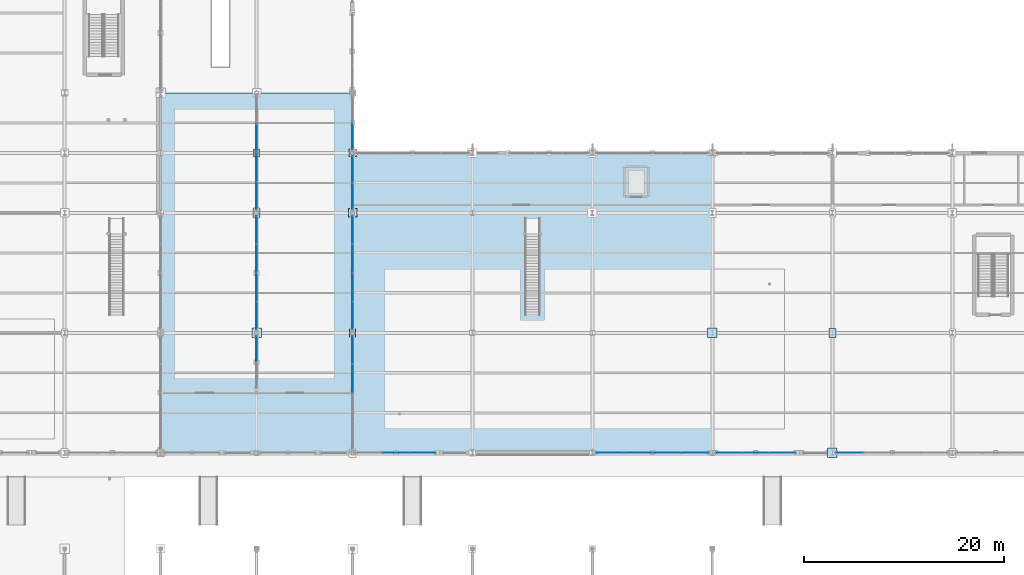
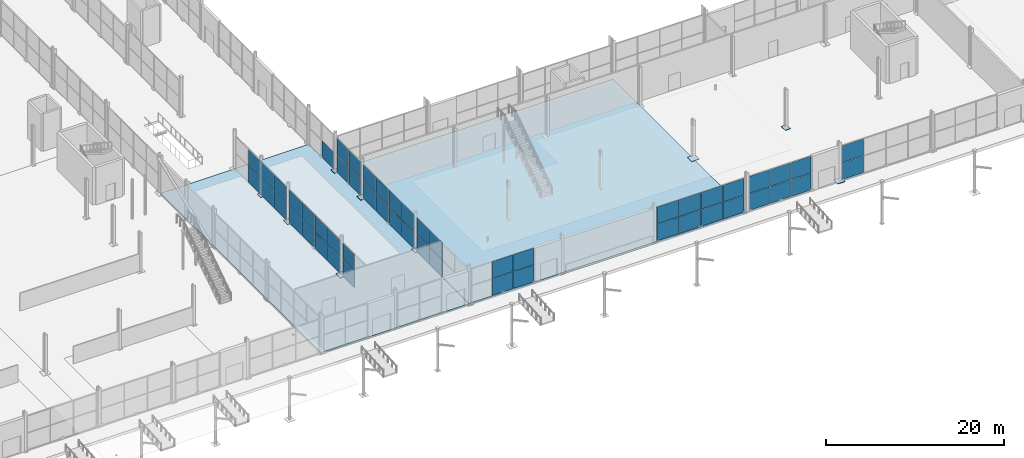
# One storey, part 147 of 196: 62 plates, 2 slabs, 11 elements without a shape of their own.
"""IFC4 building model written with IfcOpenShell, lengths in metres."""

from ifc_helpers import new_model, si_unit, direction, frame, origin, origin_2d, place, context, subcontext, project, spatial, polyline, rectangle, outline, extrude, material, layer, layer_set, type_object, element, aggregate, save


model = new_model("IFC4")

# Units and contexts
model_context = context("Model", 3, precision=1e-05, world=origin(), true_north=direction((0.0, 1.0)))
body_context = subcontext(model_context, "Body", "Model", "MODEL_VIEW")
ifc_project = project(units=[si_unit("LENGTHUNIT", "METRE"), si_unit("AREAUNIT", "SQUARE_METRE"), si_unit("VOLUMEUNIT", "CUBIC_METRE"), si_unit("PLANEANGLEUNIT", "RADIAN"), si_unit("MASSUNIT", "GRAM", prefix="KILO")], contexts=[model_context])

# Site, building, storey
site_placement = place(None, origin())
site = spatial("IfcSite", under=ifc_project, at=site_placement, CompositionType="ELEMENT")
building_placement = place(site_placement, origin())
building = spatial("IfcBuilding", under=site, at=building_placement, Name="Merenkruunu Market Hall", CompositionType="ELEMENT")
storey_placement = place(building_placement, origin())
storey = spatial("IfcBuildingStorey", under=building, at=storey_placement, Name="L00", CompositionType="ELEMENT", Elevation=0.0)

# Plates
ifc_material_1 = material(Name="Steel S355ML", Category="steel")
ifc_layer_1 = layer(ifc_material_1, 0.044921875)
ifc_layer_set_1 = layer_set([ifc_layer_1], Name="Steel S355ML")
plate_type_1 = type_object("IfcPlateType", Name="Column Base Plate BP01", PredefinedType="USERDEFINED", material=ifc_layer_set_1)
plate_1_placement = place(storey_placement, frame((76.800048828125, 39.60009765625, 0.0), z_axis=(0.0, 0.0, 1.0), x_axis=(1.0, 0.0, 0.0)))
element("IfcPlate", 1, at=plate_1_placement, inside=storey, type_object=plate_type_1, Name="PLT-BP-J-05", ObjectType="BASE_PLATE", PredefinedType="USERDEFINED", context=body_context, shape_type="SweptSolid", body=[
    extrude(rectangle(XDim=0.85009765625, YDim=0.85009765625, at=origin_2d()), origin(), (0.0, 0.0, 1.0), 0.044921875),
])
ifc_layer_2 = layer(ifc_material_1, 0.0400390625)
ifc_layer_set_2 = layer_set([ifc_layer_2], Name="Steel S355ML")
plate_type_2 = type_object("IfcPlateType", Name="Column Base Plate BP02", PredefinedType="USERDEFINED", material=ifc_layer_set_2)
plate_2_placement = place(storey_placement, frame((76.800048828125, 45.60009765625, 0.0), z_axis=(0.0, 0.0, 1.0), x_axis=(1.0, 0.0, 0.0)))
element("IfcPlate", 2, at=plate_2_placement, inside=storey, type_object=plate_type_2, Name="PLT-BP-J-06", ObjectType="BASE_PLATE", PredefinedType="USERDEFINED", context=body_context, shape_type="SweptSolid", body=[
    extrude(rectangle(XDim=0.75, YDim=0.75, at=origin_2d()), origin(), (0.0, 0.0, 1.0), 0.0400390625),
])
ifc_layer_3 = layer(ifc_material_1, 0.050048828125)
ifc_layer_set_3 = layer_set([ifc_layer_3], Name="Steel S355ML")
plate_type_3 = type_object("IfcPlateType", Name="Column Base Plate BP06", PredefinedType="USERDEFINED", material=ifc_layer_set_3)
for number, where, z_axis, x_axis, name in (
    (3, (67.199951171875, 27.60009765625, 0.0), (0.0, 0.0, 1.0), (1.0, 0.0, 0.0), "PLT-BP-H-04"),
    (4, (112.800048828125, 27.60009765625, 0.0), (0.0, 0.0, 1.0), (1.0, 0.0, 0.0), "PLT-BP-M-04"),
    (5, (124.800048828125, 15.60009765625, 0.0), (0.0, 0.0, 1.0), (1.0, 0.0, 0.0), "PLT-BP-N-03"),
):
    element("IfcPlate", number, at=place(storey_placement, frame(where, z_axis=z_axis, x_axis=x_axis)), inside=storey, type_object=plate_type_3, Name=name, ObjectType="BASE_PLATE", PredefinedType="USERDEFINED", context=body_context, shape_type="SweptSolid", body=[
        extrude(rectangle(XDim=0.949951171875, YDim=0.949951171875, at=origin_2d()), origin(), (0.0, 0.0, 1.0), 0.050048828125),
    ])
ifc_layer_4 = layer(ifc_material_1, 0.0419921875)
ifc_layer_set_4 = layer_set([ifc_layer_4], Name="Steel S355ML")
plate_type_4 = type_object("IfcPlateType", Name="Column Base Plate BP07", PredefinedType="USERDEFINED", material=ifc_layer_set_4)
for number, where, z_axis, x_axis, name in (
    (6, (67.199951171875, 39.60009765625, 0.0), (0.0, 0.0, 1.0), (1.0, 0.0, 0.0), "PLT-BP-H-05"),
    (7, (124.800048828125, 27.60009765625, 0.0), (0.0, 0.0, 1.0), (1.0, 0.0, 0.0), "PLT-BP-N-04"),
):
    element("IfcPlate", number, at=place(storey_placement, frame(where, z_axis=z_axis, x_axis=x_axis)), inside=storey, type_object=plate_type_4, Name=name, ObjectType="BASE_PLATE", PredefinedType="USERDEFINED", context=body_context, shape_type="SweptSolid", body=[
        extrude(rectangle(XDim=0.699951171875, YDim=0.89990234375, at=origin_2d()), origin(), (0.0, 0.0, 1.0), 0.0419921875),
    ])
ifc_layer_5 = layer(ifc_material_1, 0.0380859375)
ifc_layer_set_5 = layer_set([ifc_layer_5], Name="Steel S355ML")
plate_type_5 = type_object("IfcPlateType", Name="Column Base Plate BP08", PredefinedType="USERDEFINED", material=ifc_layer_set_5)
for number, where, z_axis, x_axis, name in (
    (8, (67.199951171875, 45.60009765625, 0.0), (0.0, 0.0, 1.0), (1.0, 0.0, 0.0), "PLT-BP-H-06"),
    (9, (76.800048828125, 27.60009765625, 0.0), (0.0, 0.0, 1.0), (1.0, 0.0, 0.0), "PLT-BP-J-04"),
):
    element("IfcPlate", number, at=place(storey_placement, frame(where, z_axis=z_axis, x_axis=x_axis)), inside=storey, type_object=plate_type_5, Name=name, ObjectType="BASE_PLATE", PredefinedType="USERDEFINED", context=body_context, shape_type="SweptSolid", body=[
        extrude(rectangle(XDim=0.60009765625, YDim=0.800048828125, at=origin_2d()), origin(), (0.0, 0.0, 1.0), 0.0380859375),
    ])

# Curtain wall, plates
ifc_material_2 = material(Name="Powder-coated aluminium", Category="aluminium")
curtain_wall_type_1 = type_object("IfcCurtainWallType", Name="Glazed Curtain Wall CW06", PredefinedType="USERDEFINED", material=ifc_material_2)
curtain_wall_1_placement = place(storey_placement, origin())
curtain_wall_1 = element("IfcCurtainWall", 10, at=curtain_wall_1_placement, inside=storey, type_object=curtain_wall_type_1, Name="CW-L00-CWM01-180", ObjectType="GLAZED_FACADE", PredefinedType="USERDEFINED")
ifc_material_3 = material(Name="Triple low-E insulated glass", Category="glass")
ifc_layer_6 = layer(ifc_material_3, 0.0380859375)
ifc_layer_set_6 = layer_set([ifc_layer_6], Name="Triple low-E insulated glass")
plate_type_6 = type_object("IfcPlateType", Name="Curtain Wall Glazing Panel CWP03", PredefinedType="CURTAIN_PANEL", material=ifc_layer_set_6)
plate_3_placement = place(storey_placement, frame((83.831787109375, 15.60009765625, 0.06005859375), z_axis=(0.0, 0.0, 1.0), x_axis=(-1.0, 0.0, 0.0)))
plate_3 = element("IfcPlate", 11, at=plate_3_placement, type_object=plate_type_6, Name="CW06 panel 1.1", PredefinedType="CURTAIN_PANEL", context=body_context, shape_type="SweptSolid", body=[
    extrude(rectangle(XDim=2.61669921875, YDim=0.0380859375, at=origin_2d()), origin(), (0.0, 0.0, 1.0), 2.284912109375),
])
plate_4_placement = place(storey_placement, frame((83.831787109375, 15.60009765625, 2.4052734375), z_axis=(0.0, 0.0, 1.0), x_axis=(-1.0, 0.0, 0.0)))
plate_4 = element("IfcPlate", 12, at=plate_4_placement, type_object=plate_type_6, Name="CW06 panel 1.2", PredefinedType="CURTAIN_PANEL", context=body_context, shape_type="SweptSolid", body=[
    extrude(rectangle(XDim=2.61669921875, YDim=0.0380859375, at=origin_2d()), origin(), (0.0, 0.0, 1.0), 2.284912109375),
])
plate_5_placement = place(storey_placement, frame((81.139892578125, 15.60009765625, 0.06005859375), z_axis=(0.0, 0.0, 1.0), x_axis=(-1.0, 0.0, 0.0)))
plate_5 = element("IfcPlate", 13, at=plate_5_placement, type_object=plate_type_6, Name="CW06 panel 2.1", PredefinedType="CURTAIN_PANEL", context=body_context, shape_type="SweptSolid", body=[
    extrude(rectangle(XDim=2.646728515625, YDim=0.0380859375, at=origin_2d()), origin(), (0.0, 0.0, 1.0), 2.284912109375),
])
plate_6_placement = place(storey_placement, frame((81.139892578125, 15.60009765625, 2.4052734375), z_axis=(0.0, 0.0, 1.0), x_axis=(-1.0, 0.0, 0.0)))
plate_6 = element("IfcPlate", 14, at=plate_6_placement, type_object=plate_type_6, Name="CW06 panel 2.2", PredefinedType="CURTAIN_PANEL", context=body_context, shape_type="SweptSolid", body=[
    extrude(rectangle(XDim=2.646728515625, YDim=0.0380859375, at=origin_2d()), origin(), (0.0, 0.0, 1.0), 2.284912109375),
])
aggregate(curtain_wall_1, [plate_3, plate_4, plate_5, plate_6])

curtain_wall_type_2 = type_object("IfcCurtainWallType", Name="Glazed Curtain Wall CW04", PredefinedType="USERDEFINED", material=ifc_material_2)
curtain_wall_2_placement = place(storey_placement, origin())
curtain_wall_2 = element("IfcCurtainWall", 15, at=curtain_wall_2_placement, inside=storey, type_object=curtain_wall_type_2, Name="CW-L00-CWM02-186", ObjectType="GLAZED_FACADE", PredefinedType="USERDEFINED")
plate_7_placement = place(storey_placement, frame((111.074951171875, 15.60009765625, 0.06005859375), z_axis=(0.0, 0.0, 1.0), x_axis=(-1.0, 0.0, 0.0)))
plate_7 = element("IfcPlate", 16, at=plate_7_placement, type_object=plate_type_6, Name="CW04 panel 1.1", PredefinedType="CURTAIN_PANEL", context=body_context, shape_type="SweptSolid", body=[
    extrude(rectangle(XDim=2.77001953125, YDim=0.0380859375, at=origin_2d()), origin(), (0.0, 0.0, 1.0), 2.284912109375),
])
plate_8_placement = place(storey_placement, frame((111.074951171875, 15.60009765625, 2.4052734375), z_axis=(0.0, 0.0, 1.0), x_axis=(-1.0, 0.0, 0.0)))
plate_8 = element("IfcPlate", 17, at=plate_8_placement, type_object=plate_type_6, Name="CW04 panel 1.2", PredefinedType="CURTAIN_PANEL", context=body_context, shape_type="SweptSolid", body=[
    extrude(rectangle(XDim=2.77001953125, YDim=0.0380859375, at=origin_2d()), origin(), (0.0, 0.0, 1.0), 2.284912109375),
])
plate_9_placement = place(storey_placement, frame((108.22998046875, 15.60009765625, 0.06005859375), z_axis=(0.0, 0.0, 1.0), x_axis=(-1.0, 0.0, 0.0)))
plate_9 = element("IfcPlate", 18, at=plate_9_placement, type_object=plate_type_6, Name="CW04 panel 2.1", PredefinedType="CURTAIN_PANEL", context=body_context, shape_type="SweptSolid", body=[
    extrude(rectangle(XDim=2.800048828125, YDim=0.0380859375, at=origin_2d()), origin(), (0.0, 0.0, 1.0), 2.284912109375),
])
plate_10_placement = place(storey_placement, frame((108.22998046875, 15.60009765625, 2.4052734375), z_axis=(0.0, 0.0, 1.0), x_axis=(-1.0, 0.0, 0.0)))
plate_10 = element("IfcPlate", 19, at=plate_10_placement, type_object=plate_type_6, Name="CW04 panel 2.2", PredefinedType="CURTAIN_PANEL", context=body_context, shape_type="SweptSolid", body=[
    extrude(rectangle(XDim=2.800048828125, YDim=0.0380859375, at=origin_2d()), origin(), (0.0, 0.0, 1.0), 2.284912109375),
])
plate_11_placement = place(storey_placement, frame((105.3701171875, 15.60009765625, 0.06005859375), z_axis=(0.0, 0.0, 1.0), x_axis=(-1.0, 0.0, 0.0)))
plate_11 = element("IfcPlate", 20, at=plate_11_placement, type_object=plate_type_6, Name="CW04 panel 3.1", PredefinedType="CURTAIN_PANEL", context=body_context, shape_type="SweptSolid", body=[
    extrude(rectangle(XDim=2.800048828125, YDim=0.0380859375, at=origin_2d()), origin(), (0.0, 0.0, 1.0), 2.284912109375),
])
plate_12_placement = place(storey_placement, frame((105.3701171875, 15.60009765625, 2.4052734375), z_axis=(0.0, 0.0, 1.0), x_axis=(-1.0, 0.0, 0.0)))
plate_12 = element("IfcPlate", 21, at=plate_12_placement, type_object=plate_type_6, Name="CW04 panel 3.2", PredefinedType="CURTAIN_PANEL", context=body_context, shape_type="SweptSolid", body=[
    extrude(rectangle(XDim=2.800048828125, YDim=0.0380859375, at=origin_2d()), origin(), (0.0, 0.0, 1.0), 2.284912109375),
])
plate_13_placement = place(storey_placement, frame((102.52490234375, 15.60009765625, 0.06005859375), z_axis=(0.0, 0.0, 1.0), x_axis=(-1.0, 0.0, 0.0)))
plate_13 = element("IfcPlate", 22, at=plate_13_placement, type_object=plate_type_6, Name="CW04 panel 4.1", PredefinedType="CURTAIN_PANEL", context=body_context, shape_type="SweptSolid", body=[
    extrude(rectangle(XDim=2.77001953125, YDim=0.0380859375, at=origin_2d()), origin(), (0.0, 0.0, 1.0), 2.284912109375),
])
plate_14_placement = place(storey_placement, frame((102.52490234375, 15.60009765625, 2.4052734375), z_axis=(0.0, 0.0, 1.0), x_axis=(-1.0, 0.0, 0.0)))
plate_14 = element("IfcPlate", 23, at=plate_14_placement, type_object=plate_type_6, Name="CW04 panel 4.2", PredefinedType="CURTAIN_PANEL", context=body_context, shape_type="SweptSolid", body=[
    extrude(rectangle(XDim=2.77001953125, YDim=0.0380859375, at=origin_2d()), origin(), (0.0, 0.0, 1.0), 2.284912109375),
])
aggregate(curtain_wall_2, [plate_7, plate_8, plate_9, plate_10, plate_11, plate_12, plate_13, plate_14])

curtain_wall_3_placement = place(storey_placement, origin())
curtain_wall_3 = element("IfcCurtainWall", 24, at=curtain_wall_3_placement, inside=storey, type_object=curtain_wall_type_1, Name="CW-L00-CWM01-190", ObjectType="GLAZED_FACADE", PredefinedType="USERDEFINED")
plate_15_placement = place(storey_placement, frame((119.831787109375, 15.60009765625, 0.06005859375), z_axis=(0.0, 0.0, 1.0), x_axis=(-1.0, 0.0, 0.0)))
plate_15 = element("IfcPlate", 25, at=plate_15_placement, type_object=plate_type_6, Name="CW06 panel 1.1", PredefinedType="CURTAIN_PANEL", context=body_context, shape_type="SweptSolid", body=[
    extrude(rectangle(XDim=2.61669921875, YDim=0.0380859375, at=origin_2d()), origin(), (0.0, 0.0, 1.0), 2.284912109375),
])
plate_16_placement = place(storey_placement, frame((119.831787109375, 15.60009765625, 2.4052734375), z_axis=(0.0, 0.0, 1.0), x_axis=(-1.0, 0.0, 0.0)))
plate_16 = element("IfcPlate", 26, at=plate_16_placement, type_object=plate_type_6, Name="CW06 panel 1.2", PredefinedType="CURTAIN_PANEL", context=body_context, shape_type="SweptSolid", body=[
    extrude(rectangle(XDim=2.61669921875, YDim=0.0380859375, at=origin_2d()), origin(), (0.0, 0.0, 1.0), 2.284912109375),
])
plate_17_placement = place(storey_placement, frame((117.139892578125, 15.60009765625, 0.06005859375), z_axis=(0.0, 0.0, 1.0), x_axis=(-1.0, 0.0, 0.0)))
plate_17 = element("IfcPlate", 27, at=plate_17_placement, type_object=plate_type_6, Name="CW06 panel 2.1", PredefinedType="CURTAIN_PANEL", context=body_context, shape_type="SweptSolid", body=[
    extrude(rectangle(XDim=2.646728515625, YDim=0.0380859375, at=origin_2d()), origin(), (0.0, 0.0, 1.0), 2.284912109375),
])
plate_18_placement = place(storey_placement, frame((117.139892578125, 15.60009765625, 2.4052734375), z_axis=(0.0, 0.0, 1.0), x_axis=(-1.0, 0.0, 0.0)))
plate_18 = element("IfcPlate", 28, at=plate_18_placement, type_object=plate_type_6, Name="CW06 panel 2.2", PredefinedType="CURTAIN_PANEL", context=body_context, shape_type="SweptSolid", body=[
    extrude(rectangle(XDim=2.646728515625, YDim=0.0380859375, at=origin_2d()), origin(), (0.0, 0.0, 1.0), 2.284912109375),
])
plate_19_placement = place(storey_placement, frame((114.4482421875, 15.60009765625, 0.06005859375), z_axis=(0.0, 0.0, 1.0), x_axis=(-1.0, 0.0, 0.0)))
plate_19 = element("IfcPlate", 29, at=plate_19_placement, type_object=plate_type_6, Name="CW06 panel 3.1", PredefinedType="CURTAIN_PANEL", context=body_context, shape_type="SweptSolid", body=[
    extrude(rectangle(XDim=2.61669921875, YDim=0.0380859375, at=origin_2d()), origin(), (0.0, 0.0, 1.0), 2.284912109375),
])
plate_20_placement = place(storey_placement, frame((114.4482421875, 15.60009765625, 2.4052734375), z_axis=(0.0, 0.0, 1.0), x_axis=(-1.0, 0.0, 0.0)))
plate_20 = element("IfcPlate", 30, at=plate_20_placement, type_object=plate_type_6, Name="CW06 panel 3.2", PredefinedType="CURTAIN_PANEL", context=body_context, shape_type="SweptSolid", body=[
    extrude(rectangle(XDim=2.61669921875, YDim=0.0380859375, at=origin_2d()), origin(), (0.0, 0.0, 1.0), 2.284912109375),
])
aggregate(curtain_wall_3, [plate_15, plate_16, plate_17, plate_18, plate_19, plate_20])

curtain_wall_4_placement = place(storey_placement, origin())
curtain_wall_4 = element("IfcCurtainWall", 31, at=curtain_wall_4_placement, inside=storey, type_object=curtain_wall_type_2, Name="CW-L00-CWM02-194", ObjectType="GLAZED_FACADE", PredefinedType="USERDEFINED")
plate_21_placement = place(storey_placement, frame((126.52490234375, 15.60009765625, 0.06005859375), z_axis=(0.0, 0.0, 1.0), x_axis=(-1.0, 0.0, 0.0)))
plate_21 = element("IfcPlate", 32, at=plate_21_placement, type_object=plate_type_6, Name="CW04 panel 4.1", PredefinedType="CURTAIN_PANEL", context=body_context, shape_type="SweptSolid", body=[
    extrude(rectangle(XDim=2.77001953125, YDim=0.0380859375, at=origin_2d()), origin(), (0.0, 0.0, 1.0), 2.284912109375),
])
plate_22_placement = place(storey_placement, frame((126.52490234375, 15.60009765625, 2.4052734375), z_axis=(0.0, 0.0, 1.0), x_axis=(-1.0, 0.0, 0.0)))
plate_22 = element("IfcPlate", 33, at=plate_22_placement, type_object=plate_type_6, Name="CW04 panel 4.2", PredefinedType="CURTAIN_PANEL", context=body_context, shape_type="SweptSolid", body=[
    extrude(rectangle(XDim=2.77001953125, YDim=0.0380859375, at=origin_2d()), origin(), (0.0, 0.0, 1.0), 2.284912109375),
])
aggregate(curtain_wall_4, [plate_21, plate_22])

curtain_wall_type_3 = type_object("IfcCurtainWallType", Name="Glazed Curtain Wall CW05", PredefinedType="USERDEFINED", material=ifc_material_2)
curtain_wall_5_placement = place(storey_placement, origin())
curtain_wall_5 = element("IfcCurtainWall", 34, at=curtain_wall_5_placement, inside=storey, type_object=curtain_wall_type_3, Name="CW-L00-CWM01-151", ObjectType="GLAZED_FACADE", PredefinedType="USERDEFINED")
ifc_layer_7 = layer(ifc_material_3, 0.0380859375)
ifc_layer_set_7 = layer_set([ifc_layer_7], Name="Triple low-E insulated glass")
plate_type_7 = type_object("IfcPlateType", Name="Curtain Wall Glazing Panel CWP04", PredefinedType="CURTAIN_PANEL", material=ifc_layer_set_7)
plate_23_placement = place(storey_placement, frame((76.800048828125, 23.030029296875, 0.06005859375), z_axis=(0.0, 0.0, 1.0), x_axis=(0.0, 1.0, 0.0)))
plate_23 = element("IfcPlate", 35, at=plate_23_placement, type_object=plate_type_7, Name="CW05 panel 3.1", PredefinedType="CURTAIN_PANEL", context=body_context, shape_type="SweptSolid", body=[
    extrude(rectangle(XDim=2.800048828125, YDim=0.0380859375, at=origin_2d()), origin(), (0.0, 0.0, 1.0), 2.284912109375),
])
plate_24_placement = place(storey_placement, frame((76.800048828125, 23.030029296875, 2.4052734375), z_axis=(0.0, 0.0, 1.0), x_axis=(0.0, 1.0, 0.0)))
plate_24 = element("IfcPlate", 36, at=plate_24_placement, type_object=plate_type_7, Name="CW05 panel 3.2", PredefinedType="CURTAIN_PANEL", context=body_context, shape_type="SweptSolid", body=[
    extrude(rectangle(XDim=2.800048828125, YDim=0.0380859375, at=origin_2d()), origin(), (0.0, 0.0, 1.0), 2.284912109375),
])
plate_25_placement = place(storey_placement, frame((76.800048828125, 25.875, 0.06005859375), z_axis=(0.0, 0.0, 1.0), x_axis=(0.0, 1.0, 0.0)))
plate_25 = element("IfcPlate", 37, at=plate_25_placement, type_object=plate_type_7, Name="CW05 panel 4.1", PredefinedType="CURTAIN_PANEL", context=body_context, shape_type="SweptSolid", body=[
    extrude(rectangle(XDim=2.77001953125, YDim=0.0380859375, at=origin_2d()), origin(), (0.0, 0.0, 1.0), 2.284912109375),
])
plate_26_placement = place(storey_placement, frame((76.800048828125, 25.875, 2.4052734375), z_axis=(0.0, 0.0, 1.0), x_axis=(0.0, 1.0, 0.0)))
plate_26 = element("IfcPlate", 38, at=plate_26_placement, type_object=plate_type_7, Name="CW05 panel 4.2", PredefinedType="CURTAIN_PANEL", context=body_context, shape_type="SweptSolid", body=[
    extrude(rectangle(XDim=2.77001953125, YDim=0.0380859375, at=origin_2d()), origin(), (0.0, 0.0, 1.0), 2.284912109375),
])
aggregate(curtain_wall_5, [plate_23, plate_24, plate_25, plate_26])

curtain_wall_6_placement = place(storey_placement, origin())
curtain_wall_6 = element("IfcCurtainWall", 39, at=curtain_wall_6_placement, inside=storey, type_object=curtain_wall_type_3, Name="CW-L00-CWM01-152", ObjectType="GLAZED_FACADE", PredefinedType="USERDEFINED")
plate_27_placement = place(storey_placement, frame((76.800048828125, 29.324951171875, 0.06005859375), z_axis=(0.0, 0.0, 1.0), x_axis=(0.0, 1.0, 0.0)))
plate_27 = element("IfcPlate", 40, at=plate_27_placement, type_object=plate_type_7, Name="CW05 panel 1.1", PredefinedType="CURTAIN_PANEL", context=body_context, shape_type="SweptSolid", body=[
    extrude(rectangle(XDim=2.77001953125, YDim=0.0380859375, at=origin_2d()), origin(), (0.0, 0.0, 1.0), 2.284912109375),
])
plate_28_placement = place(storey_placement, frame((76.800048828125, 29.324951171875, 2.4052734375), z_axis=(0.0, 0.0, 1.0), x_axis=(0.0, 1.0, 0.0)))
plate_28 = element("IfcPlate", 41, at=plate_28_placement, type_object=plate_type_7, Name="CW05 panel 1.2", PredefinedType="CURTAIN_PANEL", context=body_context, shape_type="SweptSolid", body=[
    extrude(rectangle(XDim=2.77001953125, YDim=0.0380859375, at=origin_2d()), origin(), (0.0, 0.0, 1.0), 2.284912109375),
])
plate_29_placement = place(storey_placement, frame((76.800048828125, 32.169921875, 0.06005859375), z_axis=(0.0, 0.0, 1.0), x_axis=(0.0, 1.0, 0.0)))
plate_29 = element("IfcPlate", 42, at=plate_29_placement, type_object=plate_type_7, Name="CW05 panel 2.1", PredefinedType="CURTAIN_PANEL", context=body_context, shape_type="SweptSolid", body=[
    extrude(rectangle(XDim=2.800048828125, YDim=0.0380859375, at=origin_2d()), origin(), (0.0, 0.0, 1.0), 2.284912109375),
])
plate_30_placement = place(storey_placement, frame((76.800048828125, 32.169921875, 2.4052734375), z_axis=(0.0, 0.0, 1.0), x_axis=(0.0, 1.0, 0.0)))
plate_30 = element("IfcPlate", 43, at=plate_30_placement, type_object=plate_type_7, Name="CW05 panel 2.2", PredefinedType="CURTAIN_PANEL", context=body_context, shape_type="SweptSolid", body=[
    extrude(rectangle(XDim=2.800048828125, YDim=0.0380859375, at=origin_2d()), origin(), (0.0, 0.0, 1.0), 2.284912109375),
])
plate_31_placement = place(storey_placement, frame((76.800048828125, 35.030029296875, 0.06005859375), z_axis=(0.0, 0.0, 1.0), x_axis=(0.0, 1.0, 0.0)))
plate_31 = element("IfcPlate", 44, at=plate_31_placement, type_object=plate_type_7, Name="CW05 panel 3.1", PredefinedType="CURTAIN_PANEL", context=body_context, shape_type="SweptSolid", body=[
    extrude(rectangle(XDim=2.800048828125, YDim=0.0380859375, at=origin_2d()), origin(), (0.0, 0.0, 1.0), 2.284912109375),
])
plate_32_placement = place(storey_placement, frame((76.800048828125, 35.030029296875, 2.4052734375), z_axis=(0.0, 0.0, 1.0), x_axis=(0.0, 1.0, 0.0)))
plate_32 = element("IfcPlate", 45, at=plate_32_placement, type_object=plate_type_7, Name="CW05 panel 3.2", PredefinedType="CURTAIN_PANEL", context=body_context, shape_type="SweptSolid", body=[
    extrude(rectangle(XDim=2.800048828125, YDim=0.0380859375, at=origin_2d()), origin(), (0.0, 0.0, 1.0), 2.284912109375),
])
plate_33_placement = place(storey_placement, frame((76.800048828125, 37.875, 0.06005859375), z_axis=(0.0, 0.0, 1.0), x_axis=(0.0, 1.0, 0.0)))
plate_33 = element("IfcPlate", 46, at=plate_33_placement, type_object=plate_type_7, Name="CW05 panel 4.1", PredefinedType="CURTAIN_PANEL", context=body_context, shape_type="SweptSolid", body=[
    extrude(rectangle(XDim=2.77001953125, YDim=0.0380859375, at=origin_2d()), origin(), (0.0, 0.0, 1.0), 2.284912109375),
])
plate_34_placement = place(storey_placement, frame((76.800048828125, 37.875, 2.4052734375), z_axis=(0.0, 0.0, 1.0), x_axis=(0.0, 1.0, 0.0)))
plate_34 = element("IfcPlate", 47, at=plate_34_placement, type_object=plate_type_7, Name="CW05 panel 4.2", PredefinedType="CURTAIN_PANEL", context=body_context, shape_type="SweptSolid", body=[
    extrude(rectangle(XDim=2.77001953125, YDim=0.0380859375, at=origin_2d()), origin(), (0.0, 0.0, 1.0), 2.284912109375),
])
aggregate(curtain_wall_6, [plate_27, plate_28, plate_29, plate_30, plate_31, plate_32, plate_33, plate_34])

curtain_wall_7_placement = place(storey_placement, origin())
curtain_wall_7 = element("IfcCurtainWall", 48, at=curtain_wall_7_placement, inside=storey, type_object=curtain_wall_type_3, Name="CW-L00-CWM01-154", ObjectType="GLAZED_FACADE", PredefinedType="USERDEFINED")
plate_35_placement = place(storey_placement, frame((76.800048828125, 41.2548828125, 0.06005859375), z_axis=(0.0, 0.0, 1.0), x_axis=(0.0, 1.0, 0.0)))
plate_35 = element("IfcPlate", 49, at=plate_35_placement, type_object=plate_type_7, Name="CW05 panel 1.1", PredefinedType="CURTAIN_PANEL", context=body_context, shape_type="SweptSolid", body=[
    extrude(rectangle(XDim=2.6298828125, YDim=0.0380859375, at=origin_2d()), origin(), (0.0, 0.0, 1.0), 2.284912109375),
])
plate_36_placement = place(storey_placement, frame((76.800048828125, 41.2548828125, 2.4052734375), z_axis=(0.0, 0.0, 1.0), x_axis=(0.0, 1.0, 0.0)))
plate_36 = element("IfcPlate", 50, at=plate_36_placement, type_object=plate_type_7, Name="CW05 panel 1.2", PredefinedType="CURTAIN_PANEL", context=body_context, shape_type="SweptSolid", body=[
    extrude(rectangle(XDim=2.6298828125, YDim=0.0380859375, at=origin_2d()), origin(), (0.0, 0.0, 1.0), 2.284912109375),
])
plate_37_placement = place(storey_placement, frame((76.800048828125, 43.945068359375, 0.06005859375), z_axis=(0.0, 0.0, 1.0), x_axis=(0.0, 1.0, 0.0)))
plate_37 = element("IfcPlate", 51, at=plate_37_placement, type_object=plate_type_7, Name="CW05 panel 2.1", PredefinedType="CURTAIN_PANEL", context=body_context, shape_type="SweptSolid", body=[
    extrude(rectangle(XDim=2.6298828125, YDim=0.0380859375, at=origin_2d()), origin(), (0.0, 0.0, 1.0), 2.284912109375),
])
plate_38_placement = place(storey_placement, frame((76.800048828125, 43.945068359375, 2.4052734375), z_axis=(0.0, 0.0, 1.0), x_axis=(0.0, 1.0, 0.0)))
plate_38 = element("IfcPlate", 52, at=plate_38_placement, type_object=plate_type_7, Name="CW05 panel 2.2", PredefinedType="CURTAIN_PANEL", context=body_context, shape_type="SweptSolid", body=[
    extrude(rectangle(XDim=2.6298828125, YDim=0.0380859375, at=origin_2d()), origin(), (0.0, 0.0, 1.0), 2.284912109375),
])
aggregate(curtain_wall_7, [plate_35, plate_36, plate_37, plate_38])

# Curtain wall, plate
curtain_wall_type_4 = type_object("IfcCurtainWallType", Name="Glazed Curtain Wall CW12", PredefinedType="USERDEFINED", material=ifc_material_2)
curtain_wall_8_placement = place(storey_placement, origin())
curtain_wall_8 = element("IfcCurtainWall", 53, at=curtain_wall_8_placement, inside=storey, type_object=curtain_wall_type_4, Name="CW-L00-CWM02-156", ObjectType="GLAZED_FACADE", PredefinedType="USERDEFINED")
ifc_layer_8 = layer(ifc_material_3, 0.035888671875)
ifc_layer_set_8 = layer_set([ifc_layer_8], Name="Triple low-E insulated glass")
plate_type_8 = type_object("IfcPlateType", Name="Curtain Wall Glazing Panel CWP08", PredefinedType="CURTAIN_PANEL", material=ifc_layer_set_8)
plate_39_placement = place(storey_placement, frame((76.800048828125, 47.2548828125, 0.06005859375), z_axis=(0.0, 0.0, 1.0), x_axis=(0.0, -1.0, 0.0)))
plate_39 = element("IfcPlate", 54, at=plate_39_placement, type_object=plate_type_8, Name="CW12 panel 2.1", PredefinedType="CURTAIN_PANEL", context=body_context, shape_type="SweptSolid", body=[
    extrude(rectangle(XDim=2.6298828125, YDim=0.035888671875, at=origin_2d()), origin(), (0.0, 0.0, 1.0), 2.284912109375),
])
aggregate(curtain_wall_8, [plate_39])

# Curtain wall, plates
curtain_wall_type_5 = type_object("IfcCurtainWallType", Name="Glazed Curtain Wall CW15", PredefinedType="USERDEFINED", material=ifc_material_2)
curtain_wall_9_placement = place(storey_placement, origin())
curtain_wall_9 = element("IfcCurtainWall", 55, at=curtain_wall_9_placement, inside=storey, type_object=curtain_wall_type_5, Name="CW-L00-CWM01-168", ObjectType="GLAZED_FACADE", PredefinedType="USERDEFINED")
ifc_layer_9 = layer(ifc_material_3, 0.035888671875)
ifc_layer_set_9 = layer_set([ifc_layer_9], Name="Triple low-E insulated glass")
plate_type_9 = type_object("IfcPlateType", Name="Curtain Wall Glazing Panel CWP09", PredefinedType="CURTAIN_PANEL", material=ifc_layer_set_9)
plate_40_placement = place(storey_placement, frame((67.199951171875, 25.97509765625, 0.06005859375), z_axis=(0.0, 0.0, 1.0), x_axis=(0.0, 1.0, 0.0)))
plate_40 = element("IfcPlate", 56, at=plate_40_placement, type_object=plate_type_9, Name="CW15 panel 2.1", PredefinedType="CURTAIN_PANEL", context=body_context, shape_type="SweptSolid", body=[
    extrude(rectangle(XDim=2.570068359375, YDim=0.035888671875, at=origin_2d()), origin(), (0.0, 0.0, 1.0), 2.235107421875),
])
plate_41_placement = place(storey_placement, frame((67.199951171875, 25.97509765625, 2.35498046875), z_axis=(0.0, 0.0, 1.0), x_axis=(0.0, 1.0, 0.0)))
plate_41 = element("IfcPlate", 57, at=plate_41_placement, type_object=plate_type_9, Name="CW15 panel 2.2", PredefinedType="CURTAIN_PANEL", context=body_context, shape_type="SweptSolid", body=[
    extrude(rectangle(XDim=2.570068359375, YDim=0.035888671875, at=origin_2d()), origin(), (0.0, 0.0, 1.0), 2.235107421875),
])
aggregate(curtain_wall_9, [plate_40, plate_41])

curtain_wall_10_placement = place(storey_placement, origin())
curtain_wall_10 = element("IfcCurtainWall", 58, at=curtain_wall_10_placement, inside=storey, type_object=curtain_wall_type_5, Name="CW-L00-CWM01-170", ObjectType="GLAZED_FACADE", PredefinedType="USERDEFINED")
plate_42_placement = place(storey_placement, frame((67.199951171875, 29.324951171875, 0.06005859375), z_axis=(0.0, 0.0, 1.0), x_axis=(0.0, 1.0, 0.0)))
plate_42 = element("IfcPlate", 59, at=plate_42_placement, type_object=plate_type_9, Name="CW15 panel 1.1", PredefinedType="CURTAIN_PANEL", context=body_context, shape_type="SweptSolid", body=[
    extrude(rectangle(XDim=2.77001953125, YDim=0.035888671875, at=origin_2d()), origin(), (0.0, 0.0, 1.0), 2.235107421875),
])
plate_43_placement = place(storey_placement, frame((67.199951171875, 29.324951171875, 2.35498046875), z_axis=(0.0, 0.0, 1.0), x_axis=(0.0, 1.0, 0.0)))
plate_43 = element("IfcPlate", 60, at=plate_43_placement, type_object=plate_type_9, Name="CW15 panel 1.2", PredefinedType="CURTAIN_PANEL", context=body_context, shape_type="SweptSolid", body=[
    extrude(rectangle(XDim=2.77001953125, YDim=0.035888671875, at=origin_2d()), origin(), (0.0, 0.0, 1.0), 2.235107421875),
])
plate_44_placement = place(storey_placement, frame((67.199951171875, 32.169921875, 0.06005859375), z_axis=(0.0, 0.0, 1.0), x_axis=(0.0, 1.0, 0.0)))
plate_44 = element("IfcPlate", 61, at=plate_44_placement, type_object=plate_type_9, Name="CW15 panel 2.1", PredefinedType="CURTAIN_PANEL", context=body_context, shape_type="SweptSolid", body=[
    extrude(rectangle(XDim=2.800048828125, YDim=0.035888671875, at=origin_2d()), origin(), (0.0, 0.0, 1.0), 2.235107421875),
])
plate_45_placement = place(storey_placement, frame((67.199951171875, 32.169921875, 2.35498046875), z_axis=(0.0, 0.0, 1.0), x_axis=(0.0, 1.0, 0.0)))
plate_45 = element("IfcPlate", 62, at=plate_45_placement, type_object=plate_type_9, Name="CW15 panel 2.2", PredefinedType="CURTAIN_PANEL", context=body_context, shape_type="SweptSolid", body=[
    extrude(rectangle(XDim=2.800048828125, YDim=0.035888671875, at=origin_2d()), origin(), (0.0, 0.0, 1.0), 2.235107421875),
])
plate_46_placement = place(storey_placement, frame((67.199951171875, 35.030029296875, 0.06005859375), z_axis=(0.0, 0.0, 1.0), x_axis=(0.0, 1.0, 0.0)))
plate_46 = element("IfcPlate", 63, at=plate_46_placement, type_object=plate_type_9, Name="CW15 panel 3.1", PredefinedType="CURTAIN_PANEL", context=body_context, shape_type="SweptSolid", body=[
    extrude(rectangle(XDim=2.800048828125, YDim=0.035888671875, at=origin_2d()), origin(), (0.0, 0.0, 1.0), 2.235107421875),
])
plate_47_placement = place(storey_placement, frame((67.199951171875, 35.030029296875, 2.35498046875), z_axis=(0.0, 0.0, 1.0), x_axis=(0.0, 1.0, 0.0)))
plate_47 = element("IfcPlate", 64, at=plate_47_placement, type_object=plate_type_9, Name="CW15 panel 3.2", PredefinedType="CURTAIN_PANEL", context=body_context, shape_type="SweptSolid", body=[
    extrude(rectangle(XDim=2.800048828125, YDim=0.035888671875, at=origin_2d()), origin(), (0.0, 0.0, 1.0), 2.235107421875),
])
plate_48_placement = place(storey_placement, frame((67.199951171875, 37.875, 0.06005859375), z_axis=(0.0, 0.0, 1.0), x_axis=(0.0, 1.0, 0.0)))
plate_48 = element("IfcPlate", 65, at=plate_48_placement, type_object=plate_type_9, Name="CW15 panel 4.1", PredefinedType="CURTAIN_PANEL", context=body_context, shape_type="SweptSolid", body=[
    extrude(rectangle(XDim=2.77001953125, YDim=0.035888671875, at=origin_2d()), origin(), (0.0, 0.0, 1.0), 2.235107421875),
])
plate_49_placement = place(storey_placement, frame((67.199951171875, 37.875, 2.35498046875), z_axis=(0.0, 0.0, 1.0), x_axis=(0.0, 1.0, 0.0)))
plate_49 = element("IfcPlate", 66, at=plate_49_placement, type_object=plate_type_9, Name="CW15 panel 4.2", PredefinedType="CURTAIN_PANEL", context=body_context, shape_type="SweptSolid", body=[
    extrude(rectangle(XDim=2.77001953125, YDim=0.035888671875, at=origin_2d()), origin(), (0.0, 0.0, 1.0), 2.235107421875),
])
aggregate(curtain_wall_10, [plate_42, plate_43, plate_44, plate_45, plate_46, plate_47, plate_48, plate_49])

curtain_wall_11_placement = place(storey_placement, origin())
curtain_wall_11 = element("IfcCurtainWall", 67, at=curtain_wall_11_placement, inside=storey, type_object=curtain_wall_type_5, Name="CW-L00-CWM01-172", ObjectType="GLAZED_FACADE", PredefinedType="USERDEFINED")
plate_50_placement = place(storey_placement, frame((67.199951171875, 41.324951171875, 0.06005859375), z_axis=(0.0, 0.0, 1.0), x_axis=(0.0, 1.0, 0.0)))
plate_50 = element("IfcPlate", 68, at=plate_50_placement, type_object=plate_type_9, Name="CW15 panel 1.1", PredefinedType="CURTAIN_PANEL", context=body_context, shape_type="SweptSolid", body=[
    extrude(rectangle(XDim=2.77001953125, YDim=0.035888671875, at=origin_2d()), origin(), (0.0, 0.0, 1.0), 2.235107421875),
])
plate_51_placement = place(storey_placement, frame((67.199951171875, 41.324951171875, 2.35498046875), z_axis=(0.0, 0.0, 1.0), x_axis=(0.0, 1.0, 0.0)))
plate_51 = element("IfcPlate", 69, at=plate_51_placement, type_object=plate_type_9, Name="CW15 panel 1.2", PredefinedType="CURTAIN_PANEL", context=body_context, shape_type="SweptSolid", body=[
    extrude(rectangle(XDim=2.77001953125, YDim=0.035888671875, at=origin_2d()), origin(), (0.0, 0.0, 1.0), 2.235107421875),
])
plate_52_placement = place(storey_placement, frame((67.199951171875, 44.169921875, 0.06005859375), z_axis=(0.0, 0.0, 1.0), x_axis=(0.0, 1.0, 0.0)))
plate_52 = element("IfcPlate", 70, at=plate_52_placement, type_object=plate_type_9, Name="CW15 panel 2.1", PredefinedType="CURTAIN_PANEL", context=body_context, shape_type="SweptSolid", body=[
    extrude(rectangle(XDim=2.800048828125, YDim=0.035888671875, at=origin_2d()), origin(), (0.0, 0.0, 1.0), 2.235107421875),
])
plate_53_placement = place(storey_placement, frame((67.199951171875, 44.169921875, 2.35498046875), z_axis=(0.0, 0.0, 1.0), x_axis=(0.0, 1.0, 0.0)))
plate_53 = element("IfcPlate", 71, at=plate_53_placement, type_object=plate_type_9, Name="CW15 panel 2.2", PredefinedType="CURTAIN_PANEL", context=body_context, shape_type="SweptSolid", body=[
    extrude(rectangle(XDim=2.800048828125, YDim=0.035888671875, at=origin_2d()), origin(), (0.0, 0.0, 1.0), 2.235107421875),
])
plate_54_placement = place(storey_placement, frame((67.199951171875, 47.030029296875, 0.06005859375), z_axis=(0.0, 0.0, 1.0), x_axis=(0.0, 1.0, 0.0)))
plate_54 = element("IfcPlate", 72, at=plate_54_placement, type_object=plate_type_9, Name="CW15 panel 3.1", PredefinedType="CURTAIN_PANEL", context=body_context, shape_type="SweptSolid", body=[
    extrude(rectangle(XDim=2.800048828125, YDim=0.035888671875, at=origin_2d()), origin(), (0.0, 0.0, 1.0), 2.235107421875),
])
plate_55_placement = place(storey_placement, frame((67.199951171875, 47.030029296875, 2.35498046875), z_axis=(0.0, 0.0, 1.0), x_axis=(0.0, 1.0, 0.0)))
plate_55 = element("IfcPlate", 73, at=plate_55_placement, type_object=plate_type_9, Name="CW15 panel 3.2", PredefinedType="CURTAIN_PANEL", context=body_context, shape_type="SweptSolid", body=[
    extrude(rectangle(XDim=2.800048828125, YDim=0.035888671875, at=origin_2d()), origin(), (0.0, 0.0, 1.0), 2.235107421875),
])
aggregate(curtain_wall_11, [plate_50, plate_51, plate_52, plate_53, plate_54, plate_55])

# Slabs
ifc_material_4 = material(Name="Concrete C35/45", Category="concrete")
ifc_layer_10 = layer(ifc_material_4, 0.300048828125)
ifc_layer_set_10 = layer_set([ifc_layer_10], Name="Concrete C35/45")
slab_type = type_object("IfcSlabType", Name="Suspended Floor Slab FS02", PredefinedType="FLOOR", material=ifc_layer_set_10)
slab_1_placement = place(storey_placement, frame((0.0, 0.0, -0.300048828125)))
element("IfcSlab", 74, at=slab_1_placement, inside=storey, type_object=slab_type, Name="SL-L00-V4S", PredefinedType="FLOOR", context=body_context, shape_type="SweptSolid", body=[
    extrude(outline(polyline([(57.60009765625, 15.60009765625), (76.800048828125, 15.60009765625), (76.800048828125, 51.60009765625), (57.60009765625, 51.60009765625), (57.60009765625, 15.60009765625)])), origin(), (0.0, 0.0, 1.0), 0.300048828125),
])
slab_2_placement = place(storey_placement, frame((0.0, 0.0, -0.300048828125)))
element("IfcSlab", 75, at=slab_2_placement, inside=storey, type_object=slab_type, Name="SL-L00-V2W", PredefinedType="FLOOR", context=body_context, shape_type="SweptSolid", body=[
    extrude(outline(polyline([(76.800048828125, 15.60009765625), (112.800048828125, 15.60009765625), (112.800048828125, 45.60009765625), (76.800048828125, 45.60009765625), (76.800048828125, 15.60009765625)])), origin(), (0.0, 0.0, 1.0), 0.300048828125),
])

save(model, "model.ifc")
